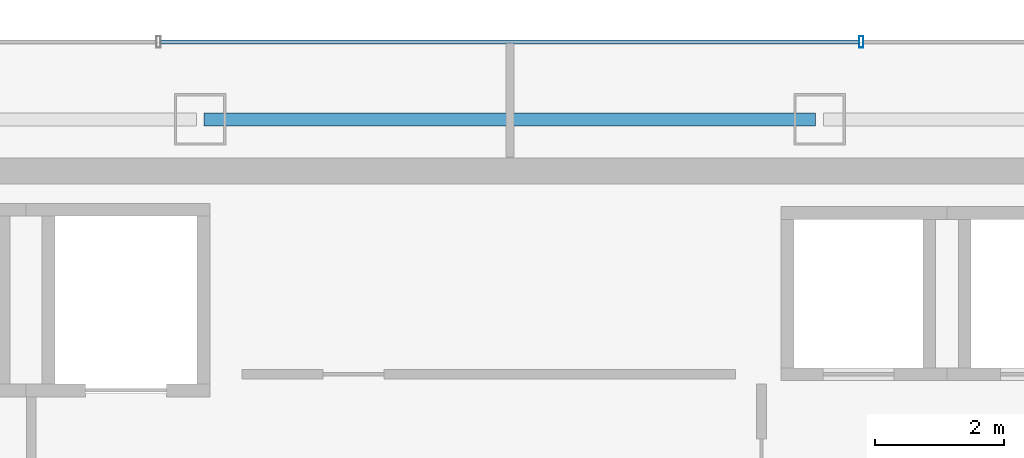
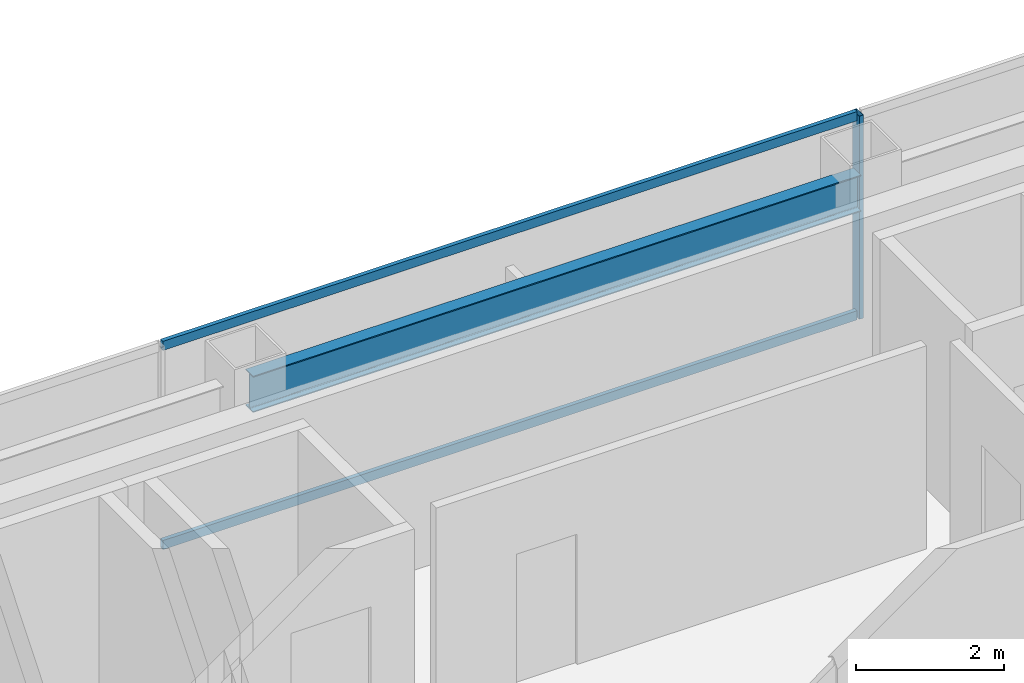
# One storey, part 23 of 35: 3 members, 1 beam, 1 element without a shape of its own.
"""IFC4 building model written with IfcOpenShell, lengths in metres."""

from ifc_helpers import new_model, si_unit, direction, frame, origin, origin_2d, place, context, subcontext, project, spatial, hollow_rectangle, i_section, extrude, material, material_profile, profile_set, type_object, element, aggregate, save


model = new_model("IFC4")

# Units and contexts
model_context = context("Model", 3, precision=1e-05, world=origin(), true_north=direction((0.0, 1.0)))
body_context = subcontext(model_context, "Body", "Model", "MODEL_VIEW")
ifc_project = project(units=[si_unit("LENGTHUNIT", "METRE"), si_unit("AREAUNIT", "SQUARE_METRE"), si_unit("VOLUMEUNIT", "CUBIC_METRE"), si_unit("PLANEANGLEUNIT", "RADIAN"), si_unit("MASSUNIT", "GRAM", prefix="KILO")], contexts=[model_context])

# Site, building, storey
site_placement = place(None, origin())
site = spatial("IfcSite", under=ifc_project, at=site_placement, CompositionType="ELEMENT")
building_placement = place(site_placement, origin())
building = spatial("IfcBuilding", under=site, at=building_placement, Name="Saevonmaru Cultural Tower", CompositionType="ELEMENT")
storey_placement = place(building_placement, frame((0.0, 0.0, 249.60009765625)))
storey = spatial("IfcBuildingStorey", under=building, at=storey_placement, Name="L58", CompositionType="ELEMENT", Elevation=249.60009765625)

# Beam
ifc_material_1 = material(Name="Steel SM355", Category="steel")
ifc_material_profile_1 = material_profile(ifc_material_1, i_section(OverallWidth=0.199951171875, OverallDepth=0.60009765625, WebThickness=0.010986328125, FlangeThickness=0.01708984375, FilletRadius=0.02197265625, at=origin_2d()), Name="H-600x200x11x17")
ifc_profile_set_1 = profile_set([ifc_material_profile_1], Name="Steel SM355")
beam_type = type_object("IfcBeamType", Name="BM-SP-H600", PredefinedType="SPANDREL", material=ifc_profile_set_1)
beam_placement = place(storey_placement, frame((25.260009765625, 54.800048828125, 3.0498046875), z_axis=(1.0, 0.0, 0.0), x_axis=(0.0, 1.0, 0.0)))
element("IfcBeam", 1, at=beam_placement, inside=storey, type_object=beam_type, Name="L58 North Spine Girder 3", PredefinedType="SPANDREL", context=body_context, shape_type="SweptSolid", body=[
    extrude(i_section(OverallWidth=0.199951171875, OverallDepth=0.60009765625, WebThickness=0.010986328125, FlangeThickness=0.01708984375, FilletRadius=0.02197265625, at=origin_2d()), origin(), (0.0, 0.0, 1.0), 9.47998046875),
])

# Curtain wall, members
ifc_material_2 = material(Name="Satin Bronze Anodised Aluminium", Category="aluminium")
curtain_wall_type = type_object("IfcCurtainWallType", Name="CW-TYP-B", PredefinedType="NOTDEFINED", material=ifc_material_2)
curtain_wall_placement = place(storey_placement, origin())
curtain_wall = element("IfcCurtainWall", 2, at=curtain_wall_placement, inside=storey, type_object=curtain_wall_type, Name="L58 North Spine Unitised Curtain Wall E10B", PredefinedType="NOTDEFINED")
ifc_material_profile_2 = material_profile(ifc_material_2, hollow_rectangle(XDim=0.06494140625, YDim=0.179931640625, WallThickness=0.00390625, at=origin_2d()), Name="ALU-MULL-180x65x4")
ifc_profile_set_2 = profile_set([ifc_material_profile_2], Name="Satin Bronze Anodised Aluminium")
member_type_1 = type_object("IfcMemberType", Name="ML-CW-180x65", PredefinedType="MULLION", material=ifc_profile_set_2)
member_1_placement = place(storey_placement, frame((35.44677734375, 56.0, 0.0), z_axis=(0.0, 0.0, 1.0), x_axis=(-1.0, 0.0, 0.0)))
member_1 = element("IfcMember", 3, at=member_1_placement, type_object=member_type_1, Name="CW-TW-L58-E10B mullion 2", PredefinedType="MULLION", context=body_context, shape_type="SweptSolid", body=[
    extrude(hollow_rectangle(XDim=0.06494140625, YDim=0.179931640625, WallThickness=0.00390625, at=origin_2d()), origin(), (0.0, 0.0, 1.0), 3.349853515625),
])
ifc_material_profile_3 = material_profile(ifc_material_2, hollow_rectangle(XDim=0.06494140625, YDim=0.14990234375, WallThickness=0.00390625, at=origin_2d()), Name="ALU-TRAN-150x65x4")
ifc_profile_set_3 = profile_set([ifc_material_profile_3], Name="Satin Bronze Anodised Aluminium")
member_type_2 = type_object("IfcMemberType", Name="TR-CW-150x65", PredefinedType="USERDEFINED", material=ifc_profile_set_3)
member_2_placement = place(storey_placement, frame((35.4140625, 56.0, 0.032470703125), z_axis=(-1.0, 0.0, 0.0), x_axis=(0.0, -1.0, 0.0)))
member_2 = element("IfcMember", 4, at=member_2_placement, type_object=member_type_2, Name="CW-TW-L58-E10B transom 2.1", ObjectType="TRANSOM", PredefinedType="USERDEFINED", context=body_context, shape_type="SweptSolid", body=[
    extrude(hollow_rectangle(XDim=0.06494140625, YDim=0.14990234375, WallThickness=0.00390625, at=origin_2d()), origin(), (0.0, 0.0, 1.0), 10.828125),
])
member_3_placement = place(storey_placement, frame((35.4140625, 56.0, 3.3173828125), z_axis=(-1.0, 0.0, 0.0), x_axis=(0.0, -1.0, 0.0)))
member_3 = element("IfcMember", 5, at=member_3_placement, type_object=member_type_2, Name="CW-TW-L58-E10B transom 2.2", ObjectType="TRANSOM", PredefinedType="USERDEFINED", context=body_context, shape_type="SweptSolid", body=[
    extrude(hollow_rectangle(XDim=0.06494140625, YDim=0.14990234375, WallThickness=0.00390625, at=origin_2d()), origin(), (0.0, 0.0, 1.0), 10.828125),
])
aggregate(curtain_wall, [member_1, member_2, member_3])

save(model, "model.ifc")
